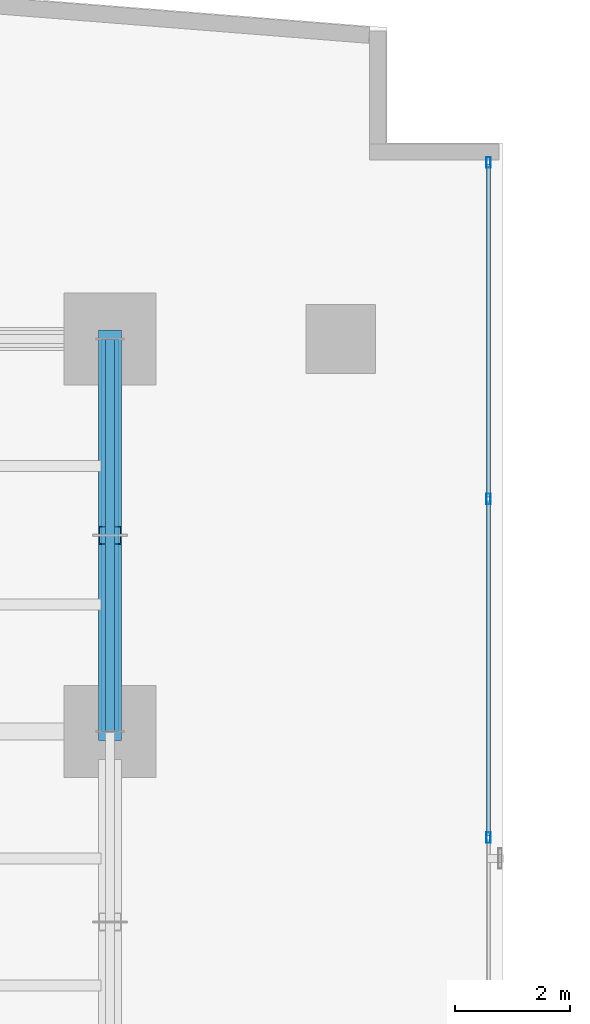
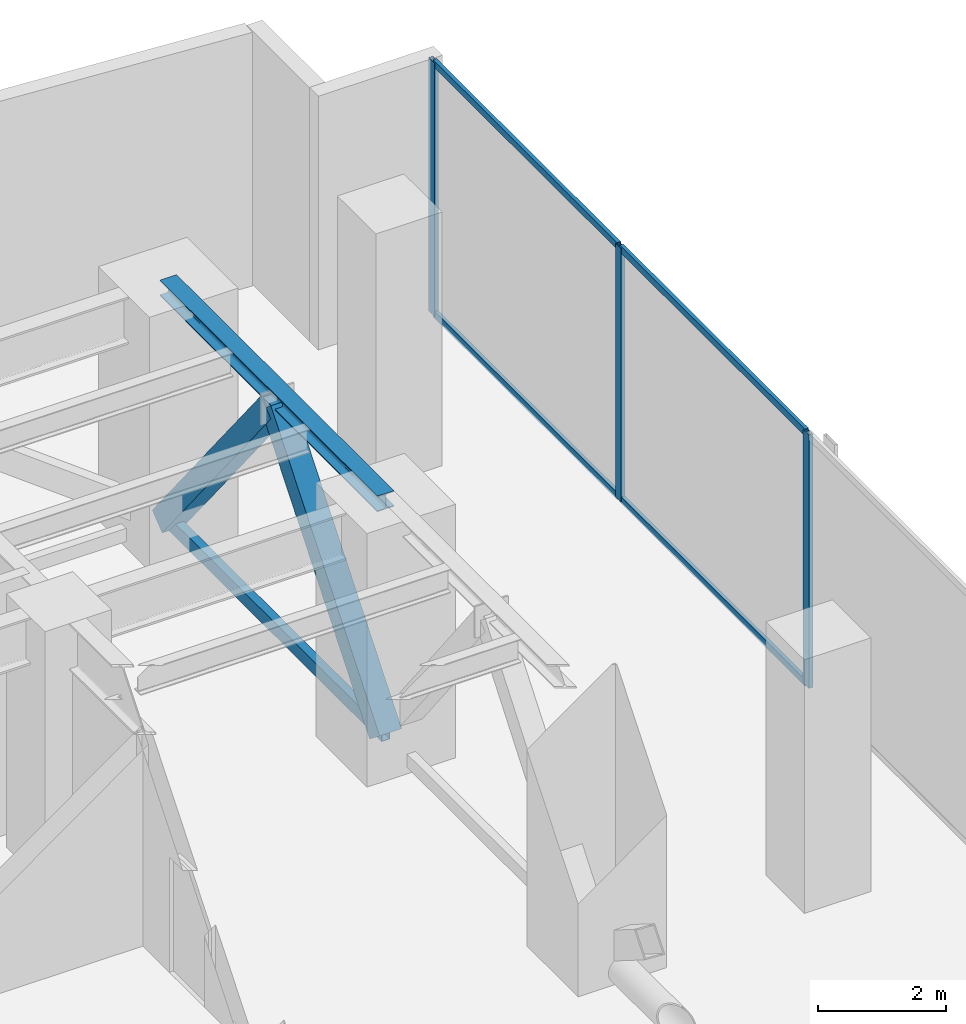
# One storey, part 26 of 36: 10 members, 1 beam, 1 element without a shape of its own.
"""IFC4 building model written with IfcOpenShell, lengths in metres."""

from ifc_helpers import new_model, si_unit, direction, frame, origin, origin_with_axes, origin_2d, place, context, subcontext, project, spatial, hollow_rectangle, i_section, extrude, source, transform, mapped, material, layer, layer_set, material_profile, profile_set, type_object, element, aggregate, save


model = new_model("IFC4")

# Units and contexts
model_context = context("Model", 3, precision=1e-05, world=origin(), true_north=direction((0.0, 1.0)))
body_context = subcontext(model_context, "Body", "Model", "MODEL_VIEW")
ifc_project = project(units=[si_unit("LENGTHUNIT", "METRE"), si_unit("AREAUNIT", "SQUARE_METRE"), si_unit("VOLUMEUNIT", "CUBIC_METRE"), si_unit("PLANEANGLEUNIT", "RADIAN"), si_unit("MASSUNIT", "GRAM", prefix="KILO")], contexts=[model_context])

# Site, building, storey
site_placement = place(None, origin())
site = spatial("IfcSite", under=ifc_project, at=site_placement, CompositionType="ELEMENT")
building_placement = place(site_placement, origin())
building = spatial("IfcBuilding", under=site, at=building_placement, Name="Kolvaren Waterfront Exchange", CompositionType="ELEMENT")
storey_placement = place(building_placement, frame((0.0, 0.0, 82.800048828125)))
storey = spatial("IfcBuildingStorey", under=building, at=storey_placement, Name="L21", CompositionType="ELEMENT", Elevation=82.800048828125)

# Beam
ifc_material_1 = material(Name="Steel S355", Category="steel")
ifc_material_profile_1 = material_profile(ifc_material_1, i_section(OverallWidth=0.300048828125, OverallDepth=0.300048828125, WebThickness=0.010986328125, FlangeThickness=0.01904296875, FilletRadius=0.027099609375, at=origin_2d()), Name="HEB300")
ifc_profile_set_1 = profile_set([ifc_material_profile_1], Name="Steel S355")
beam_type = type_object("IfcBeamType", Name="STR-BM-HEB300", PredefinedType="SPANDREL", material=ifc_profile_set_1)
beam_placement = place(storey_placement, frame((18.800048828125, 37.800048828125, 4.68994140625), z_axis=(0.0, 1.0, 0.0), x_axis=(-1.0, 0.0, 0.0)))
element("IfcBeam", 1, at=beam_placement, inside=storey, type_object=beam_type, Name="L21 north-arm edge beam 3", PredefinedType="SPANDREL", context=body_context, shape_type="SweptSolid", body=[
    extrude(i_section(OverallWidth=0.300048828125, OverallDepth=0.300048828125, WebThickness=0.010986328125, FlangeThickness=0.01904296875, FilletRadius=0.027099609375, at=origin_2d()), origin(), (0.0, 0.0, 1.0), 6.800048828125),
])

# Members
ifc_material_2 = material(Name="Steel S460", Category="steel")
ifc_material_profile_2 = material_profile(ifc_material_2, hollow_rectangle(XDim=0.14990234375, YDim=0.25, WallThickness=0.010009765625, at=origin_2d()), Name="RHS250x150x10")
ifc_profile_set_2 = profile_set([ifc_material_profile_2], Name="Steel S460")
member_type_1 = type_object("IfcMemberType", Name="STR-BR-RHS250", PredefinedType="CHORD", material=ifc_profile_set_2)
member_1_placement = place(storey_placement, frame((18.800048828125, 37.800048828125, 0.25), z_axis=(0.0, 1.0, 0.0), x_axis=(-1.0, 0.0, 0.0)))
element("IfcMember", 2, at=member_1_placement, inside=storey, type_object=member_type_1, Name="L21 belt-truss bottom chord BT7", PredefinedType="CHORD", context=body_context, shape_type="SweptSolid", body=[
    extrude(hollow_rectangle(XDim=0.14990234375, YDim=0.25, WallThickness=0.010009765625, at=origin_2d()), origin(), (0.0, 0.0, 1.0), 6.800048828125),
])
ifc_material_profile_3 = material_profile(ifc_material_2, hollow_rectangle(XDim=0.39990234375, YDim=0.39990234375, WallThickness=0.02001953125, at=origin_2d()), Name="SHS400x400x20")
ifc_profile_set_3 = profile_set([ifc_material_profile_3], Name="Steel S460")
member_type_2 = type_object("IfcMemberType", Name="STR-BR-SHS400", PredefinedType="BRACE", material=ifc_profile_set_3)
for number, where, z_axis, x_axis, name in (
    (3, (18.800048828125, 37.800048828125, 0.25), (0.0, 0.625582125173, 0.780158320256), (-1.0, 0.0, 0.0), "L21 belt-truss chevron brace BT7L"),
    (4, (18.800048828125, 44.60009765625, 0.25), (0.0, -0.625609465589, 0.780136396129), (1.0, 0.0, 0.0), "L21 belt-truss chevron brace BT7R"),
):
    element("IfcMember", number, at=place(storey_placement, frame(where, z_axis=z_axis, x_axis=x_axis)), inside=storey, type_object=member_type_2, Name=name, PredefinedType="BRACE", context=body_context, shape_type="SweptSolid", body=[
        extrude(hollow_rectangle(XDim=0.39990234375, YDim=0.39990234375, WallThickness=0.02001953125, at=origin_2d()), origin(), (0.0, 0.0, 1.0), 5.434814453125),
    ])

# Curtain wall, members
ifc_material_3 = material(Name="Anodised dark bronze spandrel aluminium", Category="aluminium")
ifc_layer = layer(ifc_material_3, 0.219970703125, Name="Anodised dark bronze spandrel aluminium")
ifc_layer_set = layer_set([ifc_layer], Name="Anodised dark bronze spandrel aluminium")
curtain_wall_type = type_object("IfcCurtainWallType", Name="ARC-CW-SYS6", PredefinedType="USERDEFINED", material=ifc_layer_set)
curtain_wall_placement = place(storey_placement, origin())
curtain_wall = element("IfcCurtainWall", 5, at=curtain_wall_placement, inside=storey, type_object=curtain_wall_type, Name="L21 stick curtain wall CW6 (CW-L21-NE)", ObjectType="STICK CURTAIN WALL", PredefinedType="USERDEFINED")
ifc_material_4 = material(Name="Anodised bronze aluminium 6063-T6", Category="aluminium")
ifc_material_profile_4 = material_profile(ifc_material_4, hollow_rectangle(XDim=0.074951171875, YDim=0.179931640625, WallThickness=0.00439453125, at=origin_2d()), Name="ALU-MUL-180x75x4.5")
ifc_profile_set_4 = profile_set([ifc_material_profile_4], Name="Anodised bronze aluminium 6063-T6")
member_type_3 = type_object("IfcMemberType", Name="ARC-CWM-180", PredefinedType="MULLION", material=ifc_profile_set_4)
shared_shape_1 = source(origin_with_axes(), body_context, "Body", "SweptSolid", [
    extrude(hollow_rectangle(XDim=0.074951171875, YDim=0.179931640625, WallThickness=0.00439453125, at=origin_2d()), origin(), (0.0, 0.0, 1.0), 4.83984375),
])
member_2_placement = place(storey_placement, frame((25.360107421875, 35.9599609375, 0.0), z_axis=(0.0, 0.0, 1.0), x_axis=(-1.0, 0.0, 0.0)))
member_2 = element("IfcMember", 6, at=member_2_placement, type_object=member_type_3, Name="CW6 mullion 2", PredefinedType="MULLION", context=body_context, shape_type="MappedRepresentation", body=[
    mapped(shared_shape_1, transform((0.0, 0.0, 0.0), x_axis=(1.0, 0.0, 0.0), y_axis=(0.0, 1.0, 0.0), z_axis=(0.0, 0.0, 1.0), scale=1.0)),
])
member_3_placement = place(storey_placement, frame((25.360107421875, 41.830078125, 0.0), z_axis=(0.0, 0.0, 1.0), x_axis=(-1.0, 0.0, 0.0)))
member_3 = element("IfcMember", 7, at=member_3_placement, type_object=member_type_3, Name="CW6 mullion 3", PredefinedType="MULLION", context=body_context, shape_type="MappedRepresentation", body=[
    mapped(shared_shape_1, transform((0.0, 0.0, 0.0), x_axis=(1.0, 0.0, 0.0), y_axis=(0.0, 1.0, 0.0), z_axis=(0.0, 0.0, 1.0), scale=1.0)),
])
member_4_placement = place(storey_placement, frame((25.360107421875, 47.66259765625, 0.0), z_axis=(0.0, 0.0, 1.0), x_axis=(-1.0, 0.0, 0.0)))
member_4 = element("IfcMember", 8, at=member_4_placement, type_object=member_type_3, Name="CW6 mullion 4", PredefinedType="MULLION", context=body_context, shape_type="MappedRepresentation", body=[
    mapped(shared_shape_1, transform((0.0, 0.0, 0.0), x_axis=(1.0, 0.0, 0.0), y_axis=(0.0, 1.0, 0.0), z_axis=(0.0, 0.0, 1.0), scale=1.0)),
])
ifc_material_profile_5 = material_profile(ifc_material_4, hollow_rectangle(XDim=0.06494140625, YDim=0.1298828125, WallThickness=0.00390625, at=origin_2d()), Name="ALU-TRN-130x65x4")
ifc_profile_set_5 = profile_set([ifc_material_profile_5], Name="Anodised bronze aluminium 6063-T6")
member_type_4 = type_object("IfcMemberType", Name="ARC-CWT-130", PredefinedType="USERDEFINED", material=ifc_profile_set_5)
shared_shape_2 = source(origin_with_axes(), body_context, "Body", "SweptSolid", [
    extrude(hollow_rectangle(XDim=0.06494140625, YDim=0.1298828125, WallThickness=0.00390625, at=origin_2d()), origin(), (0.0, 0.0, 1.0), 5.757568359375),
])
member_5_placement = place(storey_placement, frame((25.360107421875, 41.867431640625, 0.032470703125), z_axis=(0.0, 1.0, 0.0), x_axis=(-1.0, 0.0, 0.0)))
member_5 = element("IfcMember", 9, at=member_5_placement, type_object=member_type_4, Name="CW6 transom 3.1", ObjectType="TRANSOM", PredefinedType="USERDEFINED", context=body_context, shape_type="MappedRepresentation", body=[
    mapped(shared_shape_2, transform((0.0, 0.0, 0.0), x_axis=(1.0, 0.0, 0.0), y_axis=(0.0, 1.0, 0.0), z_axis=(0.0, 0.0, 1.0), scale=1.0)),
])
member_6_placement = place(storey_placement, frame((25.360107421875, 41.867431640625, 4.807373046875), z_axis=(0.0, 1.0, 0.0), x_axis=(-1.0, 0.0, 0.0)))
member_6 = element("IfcMember", 10, at=member_6_placement, type_object=member_type_4, Name="CW6 transom 3.2", ObjectType="TRANSOM", PredefinedType="USERDEFINED", context=body_context, shape_type="MappedRepresentation", body=[
    mapped(shared_shape_2, transform((0.0, 0.0, 0.0), x_axis=(1.0, 0.0, 0.0), y_axis=(0.0, 1.0, 0.0), z_axis=(0.0, 0.0, 1.0), scale=1.0)),
])
shared_shape_3 = source(origin_with_axes(), body_context, "Body", "SweptSolid", [
    extrude(hollow_rectangle(XDim=0.06494140625, YDim=0.1298828125, WallThickness=0.00390625, at=origin_2d()), origin(), (0.0, 0.0, 1.0), 5.794921875),
])
member_7_placement = place(storey_placement, frame((25.360107421875, 35.99755859375, 0.032470703125), z_axis=(0.0, 1.0, 0.0), x_axis=(-1.0, 0.0, 0.0)))
member_7 = element("IfcMember", 11, at=member_7_placement, type_object=member_type_4, Name="CW6 transom 2.1", ObjectType="TRANSOM", PredefinedType="USERDEFINED", context=body_context, shape_type="MappedRepresentation", body=[
    mapped(shared_shape_3, transform((0.0, 0.0, 0.0), x_axis=(1.0, 0.0, 0.0), y_axis=(0.0, 1.0, 0.0), z_axis=(0.0, 0.0, 1.0), scale=1.0)),
])
member_8_placement = place(storey_placement, frame((25.360107421875, 35.99755859375, 4.807373046875), z_axis=(0.0, 1.0, 0.0), x_axis=(-1.0, 0.0, 0.0)))
member_8 = element("IfcMember", 12, at=member_8_placement, type_object=member_type_4, Name="CW6 transom 2.2", ObjectType="TRANSOM", PredefinedType="USERDEFINED", context=body_context, shape_type="MappedRepresentation", body=[
    mapped(shared_shape_3, transform((0.0, 0.0, 0.0), x_axis=(1.0, 0.0, 0.0), y_axis=(0.0, 1.0, 0.0), z_axis=(0.0, 0.0, 1.0), scale=1.0)),
])
aggregate(curtain_wall, [member_2, member_3, member_4, member_7, member_8, member_5, member_6])

save(model, "model.ifc")
